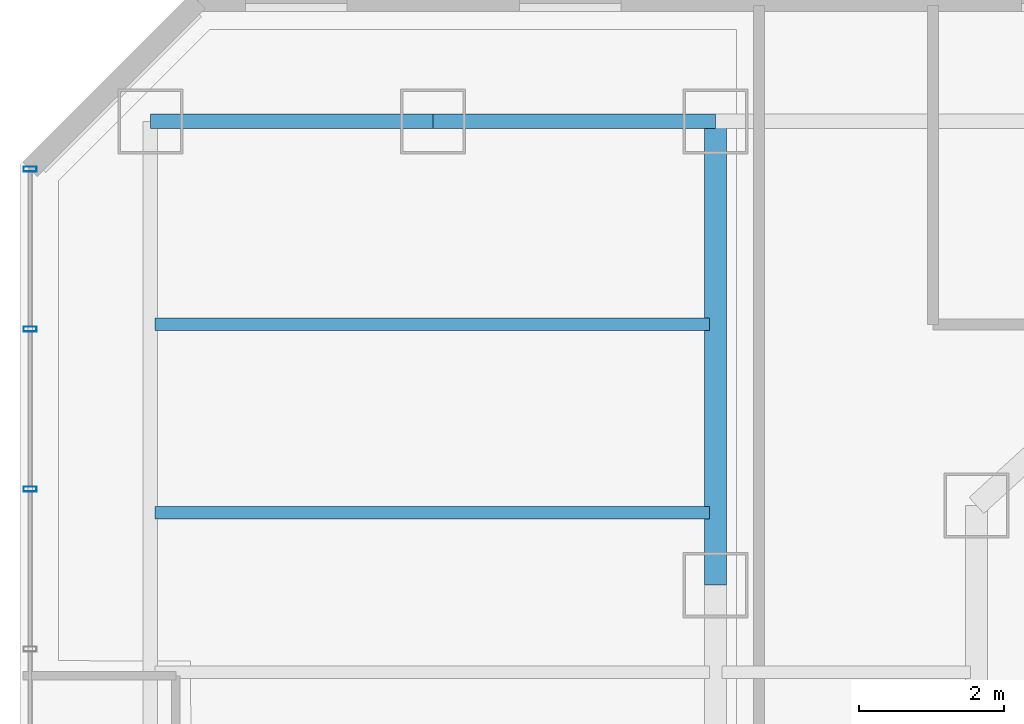
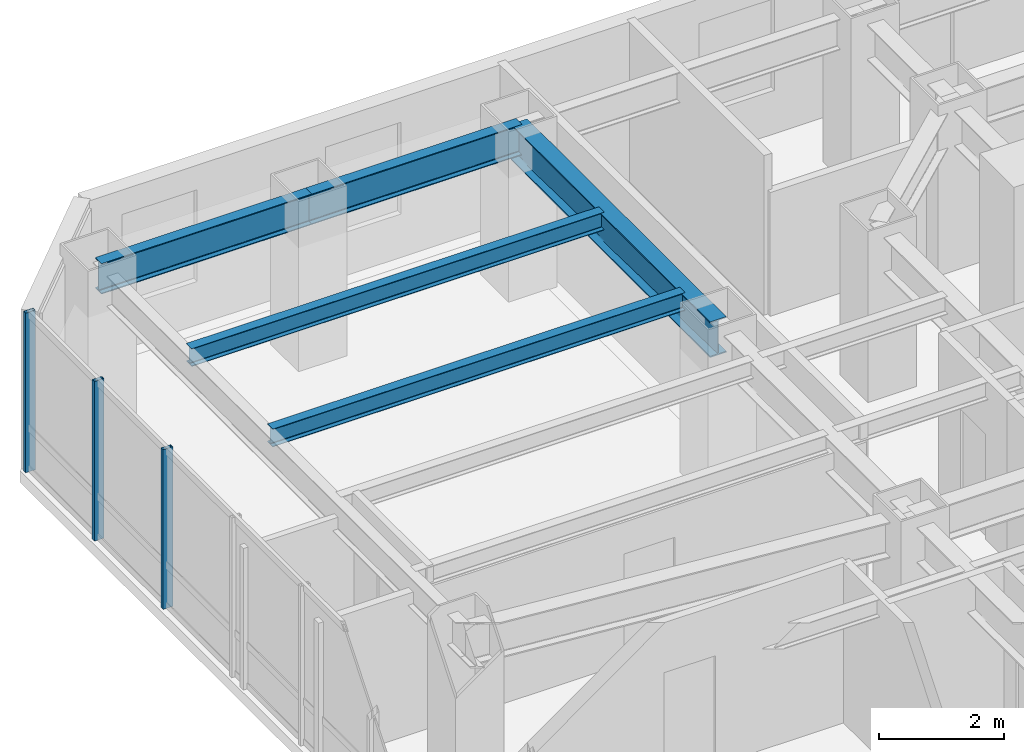
# One storey, part 17 of 31: 5 beams, 3 members, 1 element without a shape of its own.
"""IFC4 building model written with IfcOpenShell, lengths in metres."""

from ifc_helpers import new_model, si_unit, direction, frame, origin, origin_2d, place, context, subcontext, project, spatial, hollow_rectangle, i_section, extrude, material, layer, layer_set, material_profile, profile_set, type_object, element, aggregate, save


model = new_model("IFC4")

# Units and contexts
model_context = context("Model", 3, precision=1e-05, world=origin(), true_north=direction((0.0, 1.0)))
body_context = subcontext(model_context, "Body", "Model", "MODEL_VIEW")
ifc_project = project(units=[si_unit("LENGTHUNIT", "METRE"), si_unit("AREAUNIT", "SQUARE_METRE"), si_unit("VOLUMEUNIT", "CUBIC_METRE"), si_unit("PLANEANGLEUNIT", "RADIAN"), si_unit("MASSUNIT", "GRAM", prefix="KILO")], contexts=[model_context])

# Site, building, storey
site_placement = place(None, origin())
site = spatial("IfcSite", under=ifc_project, at=site_placement, CompositionType="ELEMENT")
building_placement = place(site_placement, origin())
building = spatial("IfcBuilding", under=site, at=building_placement, Name="Hatsunagi Terrace Concourse", CompositionType="ELEMENT")
storey_placement = place(building_placement, frame((0.0, 0.0, 77.949951171875)))
storey = spatial("IfcBuildingStorey", under=building, at=storey_placement, Name="L20", CompositionType="ELEMENT", Elevation=77.949951171875)

# Curtain wall, members
ifc_material_1 = material(Name="Anodised Aluminium Alloy 6063-T5", Category="aluminium")
ifc_layer = layer(ifc_material_1, 0.199951171875)
ifc_layer_set = layer_set([ifc_layer], Name="HotelFacade_CW02")
curtain_wall_type = type_object("IfcCurtainWallType", Name="HotelFacade_CW02", PredefinedType="NOTDEFINED", material=ifc_layer_set)
curtain_wall_placement = place(storey_placement, origin())
curtain_wall = element("IfcCurtainWall", 1, at=curtain_wall_placement, inside=storey, type_object=curtain_wall_type, Name="Unitised Curtain Wall CW-02 CW-L20-09", PredefinedType="NOTDEFINED")
ifc_material_2 = material(Name="Anodised Aluminium Alloy 6063-T5", Category="aluminium")
ifc_material_profile_1 = material_profile(ifc_material_2, hollow_rectangle(XDim=0.070068359375, YDim=0.179931640625, WallThickness=0.00390625, at=origin_2d()), Name="ALU-MUL-180x70x4")
ifc_profile_set_1 = profile_set([ifc_material_profile_1], Name="Anodised Aluminium Alloy 6063-T5")
member_type = type_object("IfcMemberType", Name="CurtainWallMullion_180x70", PredefinedType="MULLION", material=ifc_profile_set_1)
member_1_placement = place(storey_placement, frame((9.739990234375, 43.52490234375, 0.0), z_axis=(0.0, 0.0, 1.0), x_axis=(0.0, 1.0, 0.0)))
member_1 = element("IfcMember", 2, at=member_1_placement, type_object=member_type, Name="Curtain Wall Mullion MUL-02", PredefinedType="MULLION", context=body_context, shape_type="SweptSolid", body=[
    extrude(hollow_rectangle(XDim=0.070068359375, YDim=0.179931640625, WallThickness=0.00390625, at=origin_2d()), origin(), (0.0, 0.0, 1.0), 3.130126953125),
])
member_2_placement = place(storey_placement, frame((9.739990234375, 45.73388671875, 0.0), z_axis=(0.0, 0.0, 1.0), x_axis=(0.0, 1.0, 0.0)))
member_2 = element("IfcMember", 3, at=member_2_placement, type_object=member_type, Name="Curtain Wall Mullion MUL-02", PredefinedType="MULLION", context=body_context, shape_type="SweptSolid", body=[
    extrude(hollow_rectangle(XDim=0.070068359375, YDim=0.179931640625, WallThickness=0.00390625, at=origin_2d()), origin(), (0.0, 0.0, 1.0), 3.130126953125),
])
member_3_placement = place(storey_placement, frame((9.739990234375, 47.94189453125, 0.0), z_axis=(0.0, 0.0, 1.0), x_axis=(0.0, 1.0, 0.0)))
member_3 = element("IfcMember", 4, at=member_3_placement, type_object=member_type, Name="Curtain Wall Mullion MUL-02", PredefinedType="MULLION", context=body_context, shape_type="SweptSolid", body=[
    extrude(hollow_rectangle(XDim=0.070068359375, YDim=0.179931640625, WallThickness=0.00390625, at=origin_2d()), origin(), (0.0, 0.0, 1.0), 3.130126953125),
])
aggregate(curtain_wall, [member_1, member_2, member_3])

# Beams
ifc_material_3 = material(Name="Steel SN490B", Category="steel")
ifc_material_profile_2 = material_profile(ifc_material_3, i_section(OverallWidth=0.300048828125, OverallDepth=0.699951171875, WebThickness=0.012939453125, FlangeThickness=0.02392578125, FilletRadius=0.02197265625, at=origin_2d()), Name="H-700x300x13x24")
ifc_profile_set_2 = profile_set([ifc_material_profile_2], Name="Steel SN490B")
beam_type_1 = type_object("IfcBeamType", Name="HotelFloorGirder_H_700x300", PredefinedType="BEAM", material=ifc_profile_set_2)
beam_1_placement = place(storey_placement, frame((19.199951171875, 42.199951171875, 2.780029296875), z_axis=(0.0, 1.0, 0.0), x_axis=(-1.0, 0.0, 0.0)))
element("IfcBeam", 5, at=beam_1_placement, inside=storey, type_object=beam_type_1, Name="Beam G-04 BM-L20-NS-19-42", PredefinedType="BEAM", context=body_context, shape_type="SweptSolid", body=[
    extrude(i_section(OverallWidth=0.300048828125, OverallDepth=0.699951171875, WebThickness=0.012939453125, FlangeThickness=0.02392578125, FilletRadius=0.02197265625, at=origin_2d()), origin(), (0.0, 0.0, 1.0), 6.400146484375),
])
ifc_material_4 = material(Name="Steel SN490B", Category="steel")
ifc_material_profile_3 = material_profile(ifc_material_4, i_section(OverallWidth=0.175048828125, OverallDepth=0.35009765625, WebThickness=0.007080078125, FlangeThickness=0.010986328125, FilletRadius=0.012939453125, at=origin_2d()), Name="H-350x175x7x11")
ifc_profile_set_3 = profile_set([ifc_material_profile_3], Name="Steel SN490B")
beam_type_2 = type_object("IfcBeamType", Name="HotelJoist_H_350x175", PredefinedType="JOIST", material=ifc_profile_set_3)
for number, where, z_axis, x_axis, name in (
    (6, (11.465087890625, 43.199951171875, 2.955078125), (1.0, 0.0, 0.0), (0.0, 1.0, 0.0), "Beam J-02 J-L20-W-11-432"),
    (7, (11.465087890625, 45.800048828125, 2.955078125), (1.0, 0.0, 0.0), (0.0, 1.0, 0.0), "Beam J-02 J-L20-W-11-458"),
):
    element("IfcBeam", number, at=place(storey_placement, frame(where, z_axis=z_axis, x_axis=x_axis)), inside=storey, type_object=beam_type_2, Name=name, PredefinedType="JOIST", context=body_context, shape_type="SweptSolid", body=[
        extrude(i_section(OverallWidth=0.175048828125, OverallDepth=0.35009765625, WebThickness=0.007080078125, FlangeThickness=0.010986328125, FilletRadius=0.012939453125, at=origin_2d()), origin(), (0.0, 0.0, 1.0), 7.64990234375),
    ])
ifc_material_5 = material(Name="Steel SN490B", Category="steel")
ifc_material_profile_4 = material_profile(ifc_material_5, i_section(OverallWidth=0.199951171875, OverallDepth=0.60009765625, WebThickness=0.010986328125, FlangeThickness=0.01708984375, FilletRadius=0.01806640625, at=origin_2d()), Name="H-600x200x11x17")
ifc_profile_set_4 = profile_set([ifc_material_profile_4], Name="Steel SN490B")
beam_type_3 = type_object("IfcBeamType", Name="PerimeterSpandrel_H_600x200", PredefinedType="SPANDREL", material=ifc_profile_set_4)
beam_2_placement = place(storey_placement, frame((11.39990234375, 48.60009765625, 2.830078125), z_axis=(1.0, 0.0, 0.0), x_axis=(0.0, 1.0, 0.0)))
element("IfcBeam", 8, at=beam_2_placement, inside=storey, type_object=beam_type_3, Name="Beam SP-01 BM-L20-WN-11", PredefinedType="SPANDREL", context=body_context, shape_type="SweptSolid", body=[
    extrude(i_section(OverallWidth=0.199951171875, OverallDepth=0.60009765625, WebThickness=0.010986328125, FlangeThickness=0.01708984375, FilletRadius=0.01806640625, at=origin_2d()), origin(), (0.0, 0.0, 1.0), 3.900146484375),
])
beam_3_placement = place(storey_placement, frame((15.300048828125, 48.60009765625, 2.830078125), z_axis=(1.0, 0.0, 0.0), x_axis=(0.0, 1.0, 0.0)))
element("IfcBeam", 9, at=beam_3_placement, inside=storey, type_object=beam_type_3, Name="Beam SP-01 BM-L20-WN-15", PredefinedType="SPANDREL", context=body_context, shape_type="SweptSolid", body=[
    extrude(i_section(OverallWidth=0.199951171875, OverallDepth=0.60009765625, WebThickness=0.010986328125, FlangeThickness=0.01708984375, FilletRadius=0.01806640625, at=origin_2d()), origin(), (0.0, 0.0, 1.0), 3.89990234375),
])

save(model, "model.ifc")
